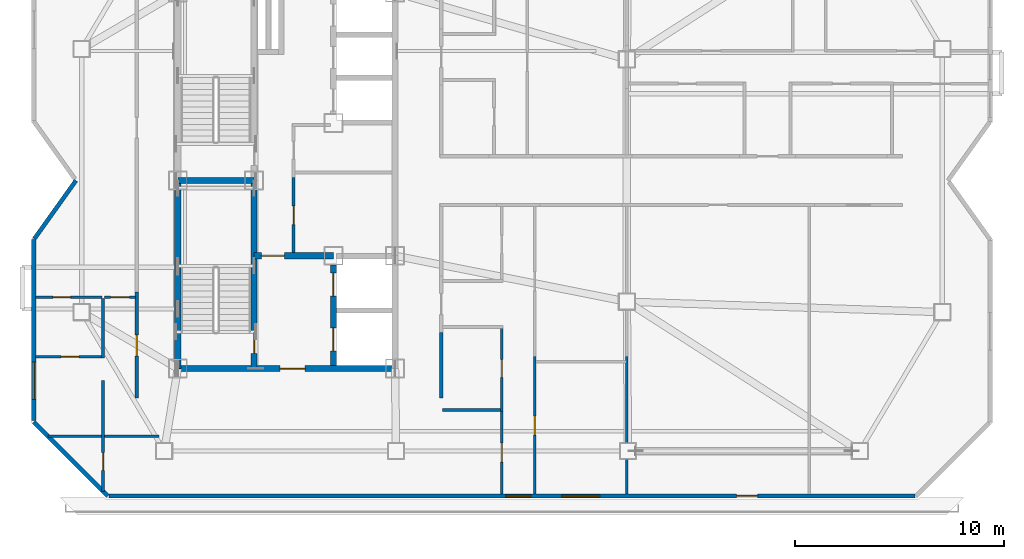
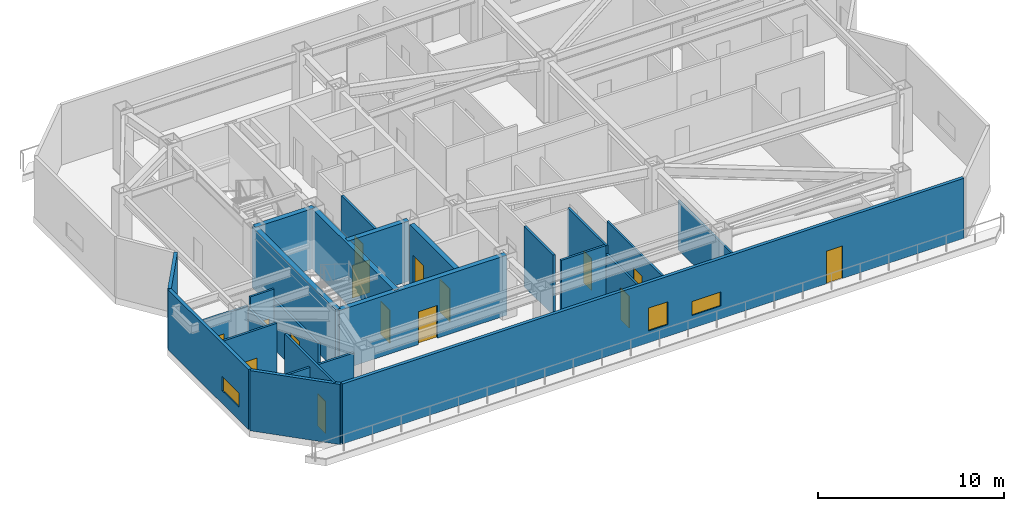
# One storey, part 4 of 11: 24 walls, 15 doors, 3 windows, 18 openings.
"""IFC4 building model written with IfcOpenShell, lengths in metres."""

import ifcopenshell
import ifcopenshell.guid

model = None  # the IFC model being written
_history = None  # IfcOwnerHistory: only IFC2X3 demands one
_inside = {}  # id of a spatial element -> (the spatial element, [elements in it])
_under = {}  # id of a project, library or spatial element -> (it, [spatial elements below it])
_declared = {}  # id of a project -> (the project, [libraries it declares])
_typed = {}  # id of a type object -> (the type object, [elements of that type])
_made_of = {}  # id of a material, layer set ... -> (it, [elements and type objects made of it])


def new_model(schema):
    """Start an empty IFC model of exactly this schema.

    Asked for "IFC4X3", IfcOpenShell would pick the latest addendum, in which some entities
    have other attributes; the version numbers below select the first issue.
    IFC2X3 requires an IfcOwnerHistory on every rooted entity: one is made here for all.
    """
    global model, _history
    if schema == "IFC4X3":
        model = ifcopenshell.file(schema_version=(4, 3, 0, 0))
    else:
        model = ifcopenshell.file(schema=schema)
    _inside.clear()
    _under.clear()
    _declared.clear()
    _typed.clear()
    _made_of.clear()
    _history = None
    if model.schema == "IFC2X3":
        org = make("IfcOrganization", Name="unknown")
        user = make(
            "IfcPersonAndOrganization",
            ThePerson=make("IfcPerson", FamilyName="unknown"),
            TheOrganization=org,
        )
        app = make(
            "IfcApplication",
            ApplicationDeveloper=org,
            Version="unknown",
            ApplicationFullName="unknown",
            ApplicationIdentifier="unknown",
        )
        _history = make(
            "IfcOwnerHistory",
            OwningUser=user,
            OwningApplication=app,
            ChangeAction="ADDED",
            CreationDate=0,
        )
    return model


def make(cls, **values):
    """One entity of the class cls with the attributes given. An attribute that is None is left unset."""
    return model.create_entity(
        cls, **{name: value for name, value in values.items() if value is not None}
    )


def rooted(cls, **values):
    """An entity with a GlobalId (a new one), such as an element, a storey or a relation."""
    return make(cls, GlobalId=ifcopenshell.guid.new(), OwnerHistory=_history, **values)


def si_unit(unit_type, name, prefix=None):
    """IfcSIUnit, for example si_unit("LENGTHUNIT", "METRE", prefix="MILLI")."""
    return make("IfcSIUnit", UnitType=unit_type, Prefix=prefix, Name=name)


def assignment(units):
    """IfcUnitAssignment: the units of a project."""
    return None if units is None else make("IfcUnitAssignment", Units=units)


def point(xyz):
    """IfcCartesianPoint."""
    return None if xyz is None else make("IfcCartesianPoint", Coordinates=xyz)


def direction(xyz):
    """IfcDirection."""
    return None if xyz is None else make("IfcDirection", DirectionRatios=xyz)


def frame(location, z_axis=None, x_axis=None):
    """IfcAxis2Placement3D, a coordinate frame: its origin and axes. An axis left out is left unset."""
    return make(
        "IfcAxis2Placement3D",
        Location=point(location),
        Axis=direction(z_axis),
        RefDirection=direction(x_axis),
    )


def frame_2d(location, x_axis=None):
    """IfcAxis2Placement2D, a coordinate frame in the plane: its origin and x axis."""
    return make(
        "IfcAxis2Placement2D", Location=point(location), RefDirection=direction(x_axis)
    )


def origin():
    """The frame at (0, 0, 0) with its axes left unset."""
    return frame((0.0, 0.0, 0.0))


def place(relative_to, where):
    """IfcLocalPlacement: puts the frame where relative to a parent placement (None: the world)."""
    return make(
        "IfcLocalPlacement", PlacementRelTo=relative_to, RelativePlacement=where
    )


def context(
    kind, dimensions, precision=None, world=None, true_north=None, identifier=None
):
    """IfcGeometricRepresentationContext, for example the 3D "Model" context."""
    return make(
        "IfcGeometricRepresentationContext",
        ContextIdentifier=identifier,
        ContextType=kind,
        CoordinateSpaceDimension=dimensions,
        Precision=precision,
        WorldCoordinateSystem=world,
        TrueNorth=true_north,
    )


def subcontext(parent, identifier, kind, view, scale=None):
    """IfcGeometricRepresentationSubContext, for example "Body" below "Model"."""
    return make(
        "IfcGeometricRepresentationSubContext",
        ContextIdentifier=identifier,
        ContextType=kind,
        ParentContext=parent,
        TargetScale=scale,
        TargetView=view,
    )


def project(units=None, contexts=None):
    """IfcProject with its units and contexts."""
    return rooted(
        "IfcProject",
        Name="project",
        RepresentationContexts=contexts,
        UnitsInContext=assignment(units),
    )


def spatial(cls, under=None, at=None, **own):
    """A site, building, storey or space (cls), placed at a placement, below another one or the project."""
    s = rooted(cls, ObjectPlacement=at, **own)
    if under is not None:
        _under.setdefault(under.id(), (under, []))[1].append(s)
    return s


def profile(cls, at=None, kind="AREA", **sizes):
    """A parametric profile (cls). Its sizes go by their IFC names, for example OverallWidth=200.0."""
    return make(cls, ProfileType=kind, Position=at, **sizes)


def rectangle(**sizes):
    """IfcRectangleProfileDef."""
    return profile("IfcRectangleProfileDef", **sizes)


def extrude(swept, where, along, depth):
    """IfcExtrudedAreaSolid: the profile swept, set in the frame where, extruded along a direction by depth."""
    return make(
        "IfcExtrudedAreaSolid",
        SweptArea=swept,
        Position=where,
        ExtrudedDirection=direction(along),
        Depth=depth,
    )


def shape(context_of_items, identifier, shape_type, items):
    """IfcShapeRepresentation: the items that make up one representation, for example the "Body"."""
    return make(
        "IfcShapeRepresentation",
        ContextOfItems=context_of_items,
        RepresentationIdentifier=identifier,
        RepresentationType=shape_type,
        Items=items,
    )


def material(Name=None, Category=None):
    """IfcMaterial."""
    return make("IfcMaterial", Name=Name, Category=Category)


def layer(
    of_material, thickness, ventilated=None, Name=None, Category=None, Priority=None
):
    """IfcMaterialLayer: one layer of a wall or slab, of a material (None: an air gap)."""
    return make(
        "IfcMaterialLayer",
        Material=of_material,
        LayerThickness=thickness,
        IsVentilated=ventilated,
        Name=Name,
        Category=Category,
        Priority=Priority,
    )


def layer_set(layers, Name=None):
    """IfcMaterialLayerSet."""
    return make("IfcMaterialLayerSet", MaterialLayers=layers, LayerSetName=Name)


def made_of(thing, what):
    """Note that an element or type object is made of a material, layer set ...; save() writes the relation."""
    if what is not None:
        _made_of.setdefault(what.id(), (what, []))[1].append(thing)
    return thing


def type_object(cls, material=None, **own):
    """A type object (cls), such as IfcWallType, which elements share."""
    return made_of(rooted(cls, **own), material)


def element(
    cls,
    number,
    at=None,
    inside=None,
    cuts=None,
    type_object=None,
    material=None,
    context=None,
    identifier="Body",
    shape_type=None,
    held_by="IfcProductDefinitionShape",
    body=None,
    shapes=None,
    **own,
):
    """One element of the class cls, such as IfcWall. Its Tag is "e" and its number.

    at: its placement. inside: the storey or other place that contains it. cuts: it is an
    opening in that element (IfcRelVoidsElement). A single representation is given by context,
    identifier, shape_type and body (its items); several are given by shapes. held_by: the class
    of the entity that holds the representations. save() writes the other relations.
    """
    e = rooted(cls, Tag="e%d" % number, ObjectPlacement=at, **own)
    if body is not None:
        shapes = [shape(context, identifier, shape_type, body)]
    if shapes is not None:
        e.Representation = make(held_by, Representations=shapes)
    if inside is not None:
        _inside.setdefault(inside.id(), (inside, []))[1].append(e)
    if cuts is not None:
        rooted(
            "IfcRelVoidsElement", RelatingBuildingElement=cuts, RelatedOpeningElement=e
        )
    if type_object is not None:
        _typed.setdefault(type_object.id(), (type_object, []))[1].append(e)
    return made_of(e, material)


def fill(opening, filler):
    """IfcRelFillsElement: the door or window that sits in an opening."""
    return rooted(
        "IfcRelFillsElement",
        RelatingOpeningElement=opening,
        RelatedBuildingElement=filler,
    )


def aggregate(whole, parts):
    """IfcRelAggregates: a whole, such as a stair, and the parts it consists of."""
    return rooted("IfcRelAggregates", RelatingObject=whole, RelatedObjects=parts)


def save(model, path):
    """Write the relations noted so far, then the file.

    IfcRelAggregates (storeys below a building ...), IfcRelContainedInSpatialStructure (elements
    in a storey), IfcRelDefinesByType, IfcRelAssociatesMaterial and IfcRelDeclares: one each for
    every whole, place, type object, material and project.
    """
    for whole, parts in _under.values():
        aggregate(whole, parts)
    for where, things in _inside.values():
        rooted(
            "IfcRelContainedInSpatialStructure",
            RelatedElements=things,
            RelatingStructure=where,
        )
    for kind, things in _typed.values():
        rooted("IfcRelDefinesByType", RelatedObjects=things, RelatingType=kind)
    for what, things in _made_of.values():
        rooted("IfcRelAssociatesMaterial", RelatedObjects=things, RelatingMaterial=what)
    for by, libraries in _declared.values():
        rooted("IfcRelDeclares", RelatingContext=by, RelatedDefinitions=libraries)
    model.write(path)


model = new_model("IFC4")

# Units and contexts
model_context = context("Model", 3, precision=1e-05, world=origin(), true_north=direction((0.0, 1.0)))
body_context = subcontext(model_context, "Body", "Model", "MODEL_VIEW")
ifc_project = project(units=[si_unit("LENGTHUNIT", "METRE"), si_unit("AREAUNIT", "SQUARE_METRE"), si_unit("VOLUMEUNIT", "CUBIC_METRE"), si_unit("PLANEANGLEUNIT", "RADIAN"), si_unit("MASSUNIT", "GRAM", prefix="KILO")], contexts=[model_context])

# Site, building, storey
site_placement = place(None, origin())
site = spatial("IfcSite", under=ifc_project, at=site_placement, CompositionType="ELEMENT")
building_placement = place(site_placement, origin())
building = spatial("IfcBuilding", under=site, at=building_placement, Name="Khamvora Tower", CompositionType="ELEMENT")
storey_placement = place(building_placement, frame((0.0, 0.0, 269.449951171875)))
storey = spatial("IfcBuildingStorey", under=building, at=storey_placement, Name="L69", CompositionType="ELEMENT", Elevation=269.449951171875)

# Wall
ifc_material_1 = material(Name="Concrete C50/60", Category="concrete")
ifc_layer_1 = layer(ifc_material_1, 0.300048828125)
ifc_layer_set_1 = layer_set([ifc_layer_1], Name="Concrete C50/60")
wall_type_1 = type_object("IfcWallType", Name="WAL-CORE-300", PredefinedType="SHEAR", material=ifc_layer_set_1)
wall_1_placement = place(storey_placement, frame((29.0, 19.0, 0.0), z_axis=(0.0, 0.0, 1.0), x_axis=(0.0, 1.0, 0.0)))
element("IfcWall", 1, at=wall_1_placement, inside=storey, type_object=wall_type_1, Name="L69 central core west south wall", PredefinedType="SHEAR", context=body_context, shape_type="SweptSolid", body=[
    extrude(rectangle(XDim=9.0, YDim=0.300048828125, at=frame_2d((4.5, 0.0))), origin(), (0.0, 0.0, 1.0), 3.949951171875),
])

# Wall, opening, door
wall_2_placement = place(storey_placement, frame((29.0, 19.0, 0.0), z_axis=(0.0, 0.0, 1.0), x_axis=(1.0, 0.0, 0.0)))
wall_2 = element("IfcWall", 2, at=wall_2_placement, inside=storey, type_object=wall_type_1, Name="L69 central core south wall", PredefinedType="SHEAR", context=body_context, shape_type="SweptSolid", body=[
    extrude(rectangle(XDim=10.39990234375, YDim=0.300048828125, at=frame_2d((5.199951171875, 0.0))), origin(), (0.0, 0.0, 1.0), 3.949951171875),
])
opening_1_placement = place(wall_2_placement, frame((4.89990234375, 0.0, 0.0)))
opening_1 = element("IfcOpeningElement", 3, at=opening_1_placement, cuts=wall_2, Name="Opening D-CR1", PredefinedType="OPENING", context=body_context, shape_type="SweptSolid", body=[
    extrude(rectangle(XDim=1.199951171875, YDim=2.14990234375, at=frame_2d((0.60009765625, 1.074951171875))), frame((0.0, 0.159912109375, 0.0), z_axis=(0.0, -1.0, 0.0), x_axis=(1.0, 0.0, 0.0)), (0.0, 0.0, 1.0), 0.320068359375),
])
ifc_material_2 = material(Name="Powder-Coated Steel and Hardwood Leaf", Category="steel")
door_type_1 = type_object("IfcDoorType", Name="DOR-CORR-1200", OperationType="NOTDEFINED", PredefinedType="DOOR", material=ifc_material_2)
door_1_placement = place(opening_1_placement, origin())
door_1 = element("IfcDoor", 4, at=door_1_placement, inside=storey, type_object=door_type_1, Name="L69 south core lobby to corridor fire door", OperationType="SINGLE_SWING_RIGHT", OverallHeight=2.14990234375, OverallWidth=1.199951171875, PredefinedType="DOOR", context=body_context, shape_type="SweptSolid", body=[
    extrude(rectangle(XDim=1.199951171875, YDim=2.14990234375, at=frame_2d((0.60009765625, 1.074951171875))), frame((0.0, 0.02490234375, 0.0), z_axis=(0.0, -1.0, 0.0), x_axis=(1.0, 0.0, 0.0)), (0.0, 0.0, 1.0), 0.050048828125),
])
fill(opening_1, door_1)

wall_3_placement = place(storey_placement, frame((32.64990234375, 19.0, 0.0), z_axis=(0.0, 0.0, 1.0), x_axis=(0.0, 1.0, 0.0)))
wall_3 = element("IfcWall", 5, at=wall_3_placement, inside=storey, type_object=wall_type_1, Name="L69 central core stair south spine wall", PredefinedType="SHEAR", context=body_context, shape_type="SweptSolid", body=[
    extrude(rectangle(XDim=9.0, YDim=0.300048828125, at=frame_2d((4.5, 0.0))), origin(), (0.0, 0.0, 1.0), 3.949951171875),
])
opening_2_placement = place(wall_3_placement, frame((0.719970703125, 0.0, 0.0)))
opening_2 = element("IfcOpeningElement", 6, at=opening_2_placement, cuts=wall_3, Name="Opening D-ST1", PredefinedType="OPENING", context=body_context, shape_type="SweptSolid", body=[
    extrude(rectangle(XDim=1.0, YDim=2.14990234375, at=frame_2d((0.5, 1.074951171875))), frame((0.0, 0.159912109375, 0.0), z_axis=(0.0, -1.0, 0.0), x_axis=(1.0, 0.0, 0.0)), (0.0, 0.0, 1.0), 0.320068359375),
])
door_type_2 = type_object("IfcDoorType", Name="DOR-STAIR-1000", OperationType="NOTDEFINED", PredefinedType="DOOR", material=ifc_material_2)
door_2_placement = place(opening_2_placement, origin())
door_2 = element("IfcDoor", 7, at=door_2_placement, inside=storey, type_object=door_type_2, Name="L69 exit stair ST-01 fire door", OperationType="SINGLE_SWING_RIGHT", OverallHeight=2.14990234375, OverallWidth=1.0, PredefinedType="DOOR", context=body_context, shape_type="SweptSolid", body=[
    extrude(rectangle(XDim=1.0, YDim=2.14990234375, at=frame_2d((0.5, 1.074951171875))), frame((0.0, 0.02490234375, 0.0), z_axis=(0.0, -1.0, 0.0), x_axis=(1.0, 0.0, 0.0)), (0.0, 0.0, 1.0), 0.050048828125),
])
fill(opening_2, door_2)

# Wall
wall_4_placement = place(storey_placement, frame((29.0, 28.0, 0.0), z_axis=(0.0, 0.0, 1.0), x_axis=(1.0, 0.0, 0.0)))
element("IfcWall", 8, at=wall_4_placement, inside=storey, type_object=wall_type_1, Name="L69 central core stair cross wall", PredefinedType="SHEAR", context=body_context, shape_type="SweptSolid", body=[
    extrude(rectangle(XDim=3.64990234375, YDim=0.300048828125, at=frame_2d((1.824951171875, 0.0))), origin(), (0.0, 0.0, 1.0), 3.949951171875),
])

# Wall, opening, door
wall_5_placement = place(storey_placement, frame((32.64990234375, 24.39990234375, 0.0), z_axis=(0.0, 0.0, 1.0), x_axis=(1.0, 0.0, 0.0)))
wall_5 = element("IfcWall", 9, at=wall_5_placement, inside=storey, type_object=wall_type_1, Name="L69 central core firefighting lobby north wall", PredefinedType="SHEAR", context=body_context, shape_type="SweptSolid", body=[
    extrude(rectangle(XDim=3.800048828125, YDim=0.300048828125, at=frame_2d((1.89990234375, 0.0))), origin(), (0.0, 0.0, 1.0), 3.949951171875),
])
opening_3_placement = place(wall_5_placement, frame((0.35009765625, 0.0, 0.0)))
opening_3 = element("IfcOpeningElement", 10, at=opening_3_placement, cuts=wall_5, Name="Opening D-FF1", PredefinedType="OPENING", context=body_context, shape_type="SweptSolid", body=[
    extrude(rectangle(XDim=1.10009765625, YDim=2.14990234375, at=frame_2d((0.550048828125, 1.074951171875))), frame((0.0, 0.159912109375, 0.0), z_axis=(0.0, -1.0, 0.0), x_axis=(1.0, 0.0, 0.0)), (0.0, 0.0, 1.0), 0.320068359375),
])
door_type_3 = type_object("IfcDoorType", Name="DOR-FFLOB-1100", OperationType="NOTDEFINED", PredefinedType="DOOR", material=ifc_material_2)
door_3_placement = place(opening_3_placement, origin())
door_3 = element("IfcDoor", 11, at=door_3_placement, inside=storey, type_object=door_type_3, Name="L69 firefighting lobby smoke-seal fire door", OperationType="SINGLE_SWING_LEFT", OverallHeight=2.14990234375, OverallWidth=1.10009765625, PredefinedType="DOOR", context=body_context, shape_type="SweptSolid", body=[
    extrude(rectangle(XDim=1.10009765625, YDim=2.14990234375, at=frame_2d((0.550048828125, 1.074951171875))), frame((0.0, 0.02490234375, 0.0), z_axis=(0.0, -1.0, 0.0), x_axis=(1.0, 0.0, 0.0)), (0.0, 0.0, 1.0), 0.050048828125),
])
fill(opening_3, door_3)

# Wall, openings, doors
wall_6_placement = place(storey_placement, frame((36.449951171875, 19.154052734375, 0.0), z_axis=(0.0, 0.0, 1.0), x_axis=(0.0, 1.0, 0.0)))
wall_6 = element("IfcWall", 12, at=wall_6_placement, inside=storey, type_object=wall_type_1, Name="L69 central core lift bank south wall", PredefinedType="SHEAR", context=body_context, shape_type="SweptSolid", body=[
    extrude(rectangle(XDim=4.7958984375, YDim=0.300048828125, at=frame_2d((2.39794921875, 0.0))), origin(), (0.0, 0.0, 1.0), 3.949951171875),
])
opening_4_placement = place(wall_6_placement, frame((0.696044921875, 0.0, 0.0)))
opening_4 = element("IfcOpeningElement", 13, at=opening_4_placement, cuts=wall_6, Name="Opening LD-FFL", PredefinedType="OPENING", context=body_context, shape_type="SweptSolid", body=[
    extrude(rectangle(XDim=1.10009765625, YDim=2.14990234375, at=frame_2d((0.550048828125, 1.074951171875))), frame((0.0, 0.159912109375, 0.0), z_axis=(0.0, -1.0, 0.0), x_axis=(1.0, 0.0, 0.0)), (0.0, 0.0, 1.0), 0.320068359375),
])
opening_5_placement = place(wall_6_placement, frame((3.31591796875, 0.0, 0.0)))
opening_5 = element("IfcOpeningElement", 14, at=opening_5_placement, cuts=wall_6, Name="Opening LD-FFL", PredefinedType="OPENING", context=body_context, shape_type="SweptSolid", body=[
    extrude(rectangle(XDim=1.10009765625, YDim=2.14990234375, at=frame_2d((0.550048828125, 1.074951171875))), frame((0.0, 0.159912109375, 0.0), z_axis=(0.0, -1.0, 0.0), x_axis=(1.0, 0.0, 0.0)), (0.0, 0.0, 1.0), 0.320068359375),
])
door_type_4 = type_object("IfcDoorType", Name="DOR-LIFT-1100", OperationType="SLIDING_TO_LEFT", PredefinedType="DOOR", material=ifc_material_2)
door_4_placement = place(opening_4_placement, origin())
door_4 = element("IfcDoor", 15, at=door_4_placement, inside=storey, type_object=door_type_4, Name="L69 lift landing sliding door FFL-01", OperationType="SLIDING_TO_LEFT", OverallHeight=2.14990234375, OverallWidth=1.10009765625, PredefinedType="DOOR", context=body_context, shape_type="SweptSolid", body=[
    extrude(rectangle(XDim=1.10009765625, YDim=2.14990234375, at=frame_2d((0.550048828125, 1.074951171875))), frame((0.0, 0.02490234375, 0.0), z_axis=(0.0, -1.0, 0.0), x_axis=(1.0, 0.0, 0.0)), (0.0, 0.0, 1.0), 0.050048828125),
])
fill(opening_4, door_4)
door_5_placement = place(opening_5_placement, origin())
door_5 = element("IfcDoor", 16, at=door_5_placement, inside=storey, type_object=door_type_4, Name="L69 lift landing sliding door FFL-02", OperationType="SLIDING_TO_LEFT", OverallHeight=2.14990234375, OverallWidth=1.10009765625, PredefinedType="DOOR", context=body_context, shape_type="SweptSolid", body=[
    extrude(rectangle(XDim=1.10009765625, YDim=2.14990234375, at=frame_2d((0.550048828125, 1.074951171875))), frame((0.0, 0.02490234375, 0.0), z_axis=(0.0, -1.0, 0.0), x_axis=(1.0, 0.0, 0.0)), (0.0, 0.0, 1.0), 0.050048828125),
])
fill(opening_5, door_5)

# Wall, opening, door
ifc_material_3 = material(Name="Fire-Rated Drywall and Steel Stud", Category="steel")
ifc_layer_2 = layer(ifc_material_3, 0.14990234375)
ifc_layer_set_2 = layer_set([ifc_layer_2], Name="Fire-Rated Drywall and Steel Stud")
wall_type_2 = type_object("IfcWallType", Name="WAL-CORR-150", PredefinedType="STANDARD", material=ifc_layer_set_2)
wall_7_placement = place(storey_placement, frame((34.544921875, 28.135986328125, 0.0), z_axis=(0.0, 0.0, 1.0), x_axis=(0.0, -1.0, 0.0)))
wall_7 = element("IfcWall", 17, at=wall_7_placement, inside=storey, type_object=wall_type_2, Name="L69 interior partition wall 003", PredefinedType="STANDARD", context=body_context, shape_type="SweptSolid", body=[
    extrude(rectangle(XDim=3.592041015625, YDim=0.14990234375, at=frame_2d((1.7958984375, 0.0))), origin(), (0.0, 0.0, 1.0), 3.949951171875),
])
opening_6_placement = place(wall_7_placement, frame((1.345947265625, 0.0, 0.0)))
opening_6 = element("IfcOpeningElement", 18, at=opening_6_placement, cuts=wall_7, Name="Opening D-RM1", PredefinedType="OPENING", context=body_context, shape_type="SweptSolid", body=[
    extrude(rectangle(XDim=0.89990234375, YDim=2.10009765625, at=frame_2d((0.449951171875, 1.050048828125))), frame((0.0, 0.0849609375, 0.0), z_axis=(0.0, -1.0, 0.0), x_axis=(1.0, 0.0, 0.0)), (0.0, 0.0, 1.0), 0.169921875),
])
door_type_5 = type_object("IfcDoorType", Name="DOR-ROOM-900", OperationType="NOTDEFINED", PredefinedType="DOOR", material=ifc_material_2)
door_6_placement = place(opening_6_placement, origin())
door_6 = element("IfcDoor", 19, at=door_6_placement, inside=storey, type_object=door_type_5, Name="L69 interior door PHL-CS2", OperationType="SINGLE_SWING_LEFT", OverallHeight=2.10009765625, OverallWidth=0.89990234375, PredefinedType="DOOR", context=body_context, shape_type="SweptSolid", body=[
    extrude(rectangle(XDim=0.89990234375, YDim=2.10009765625, at=frame_2d((0.449951171875, 1.050048828125))), frame((0.0, 0.02490234375, 0.0), z_axis=(0.0, -1.0, 0.0), x_axis=(1.0, 0.0, 0.0)), (0.0, 0.0, 1.0), 0.050048828125),
])
fill(opening_6, door_6)

wall_8_placement = place(storey_placement, frame((27.034912109375, 17.60009765625, 0.0), z_axis=(0.0, 0.0, 1.0), x_axis=(0.0, 1.0, 0.0)))
wall_8 = element("IfcWall", 20, at=wall_8_placement, inside=storey, type_object=wall_type_2, Name="L69 interior partition wall 007", PredefinedType="STANDARD", context=body_context, shape_type="SweptSolid", body=[
    extrude(rectangle(XDim=5.058837890625, YDim=0.14990234375, at=frame_2d((2.529296875, 0.0))), origin(), (0.0, 0.0, 1.0), 3.237060546875),
])
opening_7_placement = place(wall_8_placement, frame((2.009033203125, 0.0, 0.0)))
opening_7 = element("IfcOpeningElement", 21, at=opening_7_placement, cuts=wall_8, Name="Opening D-U1", PredefinedType="OPENING", context=body_context, shape_type="SweptSolid", body=[
    extrude(rectangle(XDim=1.0, YDim=2.14990234375, at=frame_2d((0.5, 1.074951171875))), frame((0.0, 0.0849609375, 0.0), z_axis=(0.0, -1.0, 0.0), x_axis=(1.0, 0.0, 0.0)), (0.0, 0.0, 1.0), 0.169921875),
])
door_type_6 = type_object("IfcDoorType", Name="DOR-UNIT-1000", OperationType="NOTDEFINED", PredefinedType="DOOR", material=ifc_material_2)
door_7_placement = place(opening_7_placement, origin())
door_7 = element("IfcDoor", 22, at=door_7_placement, inside=storey, type_object=door_type_6, Name="L69 interior door COR-69AH", OperationType="SINGLE_SWING_RIGHT", OverallHeight=2.14990234375, OverallWidth=1.0, PredefinedType="DOOR", context=body_context, shape_type="SweptSolid", body=[
    extrude(rectangle(XDim=1.0, YDim=2.14990234375, at=frame_2d((0.5, 1.074951171875))), frame((0.0, 0.02490234375, 0.0), z_axis=(0.0, -1.0, 0.0), x_axis=(1.0, 0.0, 0.0)), (0.0, 0.0, 1.0), 0.050048828125),
])
fill(opening_7, door_7)

# Walls
wall_9_placement = place(storey_placement, frame((41.614990234375, 20.735107421875, 0.0), z_axis=(0.0, 0.0, 1.0), x_axis=(0.0, -1.0, 0.0)))
element("IfcWall", 23, at=wall_9_placement, inside=storey, type_object=wall_type_2, Name="L69 interior partition wall 013", PredefinedType="STANDARD", context=body_context, shape_type="SweptSolid", body=[
    extrude(rectangle(XDim=3.135009765625, YDim=0.14990234375, at=frame_2d((1.5673828125, 0.0))), origin(), (0.0, 0.0, 1.0), 3.949951171875),
])
ifc_material_4 = material(Name="Precast concrete C40/50", Category="concrete")
ifc_layer_3 = layer(ifc_material_4, 0.199951171875)
ifc_layer_set_3 = layer_set([ifc_layer_3], Name="Precast concrete C40/50")
wall_type_3 = type_object("IfcWallType", Name="WAL-EXT-200", PredefinedType="STANDARD", material=ifc_layer_set_3)
wall_10_placement = place(storey_placement, frame((25.64111328125, 12.89990234375, 0.0), z_axis=(0.0, 0.0, 1.0), x_axis=(-0.707106781187, 0.707106781187, 0.0)))
element("IfcWall", 24, at=wall_10_placement, inside=storey, type_object=wall_type_3, Name="L69 exterior facade wall 01.1", PredefinedType="STANDARD", context=body_context, shape_type="SweptSolid", body=[
    extrude(rectangle(XDim=5.0078125, YDim=0.199951171875, at=frame_2d((2.50390625, 0.0))), origin(), (0.0, 0.0, 1.0), 3.949951171875),
])

# Wall, opening, window
wall_11_placement = place(storey_placement, frame((22.10009765625, 16.50390625, 0.0), z_axis=(0.0, 0.0, 1.0), x_axis=(0.0, 1.0, 0.0)))
wall_11 = element("IfcWall", 25, at=wall_11_placement, inside=storey, type_object=wall_type_3, Name="L69 exterior facade wall 02.1", PredefinedType="STANDARD", context=body_context, shape_type="SweptSolid", body=[
    extrude(rectangle(XDim=8.6640625, YDim=0.199951171875, at=frame_2d((4.33203125, 0.0))), origin(), (0.0, 0.0, 1.0), 3.949951171875),
])
opening_8_placement = place(wall_11_placement, frame((1.02001953125, 0.0, 0.85009765625)))
opening_8 = element("IfcOpeningElement", 26, at=opening_8_placement, cuts=wall_11, Name="Opening WN-09", PredefinedType="OPENING", context=body_context, shape_type="SweptSolid", body=[
    extrude(rectangle(XDim=1.800048828125, YDim=0.919921875, at=frame_2d((0.89990234375, 0.4599609375))), frame((0.0, 0.10986328125, 0.0), z_axis=(0.0, -1.0, 0.0), x_axis=(1.0, 0.0, 0.0)), (0.0, 0.0, 1.0), 0.219970703125),
])
ifc_material_5 = material(Name="Low-E Laminated Double Glazing", Category="glass")
window_type_1 = type_object("IfcWindowType", Name="WIN-CLR-1800x920", PartitioningType="SINGLE_PANEL", PredefinedType="WINDOW", material=ifc_material_5)
window_1_placement = place(opening_8_placement, origin())
window_1 = element("IfcWindow", 27, at=window_1_placement, inside=storey, type_object=window_type_1, Name="L69 vision window 02.1.01", OverallHeight=0.919921875, OverallWidth=1.800048828125, PartitioningType="SINGLE_PANEL", PredefinedType="WINDOW", context=body_context, shape_type="SweptSolid", body=[
    extrude(rectangle(XDim=1.800048828125, YDim=0.919921875, at=frame_2d((0.89990234375, 0.4599609375))), frame((0.0, 0.030029296875, 0.0), z_axis=(0.0, -1.0, 0.0), x_axis=(1.0, 0.0, 0.0)), (0.0, 0.0, 1.0), 0.06005859375),
])
fill(opening_8, window_1)

# Wall
wall_12_placement = place(storey_placement, frame((22.1279296875, 25.2080078125, 0.0), z_axis=(0.0, 0.0, 1.0), x_axis=(0.581399701415, 0.813618084358, 0.0)))
element("IfcWall", 28, at=wall_12_placement, inside=storey, type_object=wall_type_3, Name="L69 exterior facade wall 03.1", PredefinedType="STANDARD", context=body_context, shape_type="SweptSolid", body=[
    extrude(rectangle(XDim=3.431640625, YDim=0.199951171875, at=frame_2d((1.7158203125, 0.0))), origin(), (0.0, 0.0, 1.0), 3.949951171875),
])

# Wall, openings, door, windows
wall_13_placement = place(storey_placement, frame((64.2958984375, 12.89990234375, 0.0), z_axis=(0.0, 0.0, 1.0), x_axis=(-1.0, 0.0, 0.0)))
wall_13 = element("IfcWall", 29, at=wall_13_placement, inside=storey, type_object=wall_type_3, Name="L69 exterior facade wall 14.1", PredefinedType="STANDARD", context=body_context, shape_type="SweptSolid", body=[
    extrude(rectangle(XDim=38.593017578125, YDim=0.199951171875, at=frame_2d((19.29638671875, 0.0))), origin(), (0.0, 0.0, 1.0), 3.949951171875),
])
opening_9_placement = place(wall_13_placement, frame((7.5400390625, 0.0, 0.0)))
opening_9 = element("IfcOpeningElement", 30, at=opening_9_placement, cuts=wall_13, Name="Opening BD-02", PredefinedType="OPENING", context=body_context, shape_type="SweptSolid", body=[
    extrude(rectangle(XDim=1.0, YDim=2.14990234375, at=frame_2d((0.5, 1.074951171875))), frame((0.0, 0.10986328125, 0.0), z_axis=(0.0, -1.0, 0.0), x_axis=(1.0, 0.0, 0.0)), (0.0, 0.0, 1.0), 0.219970703125),
])
opening_10_placement = place(wall_13_placement, frame((18.39599609375, 0.0, 0.780029296875)))
opening_10 = element("IfcOpeningElement", 31, at=opening_10_placement, cuts=wall_13, Name="Opening WN-03", PredefinedType="OPENING", context=body_context, shape_type="SweptSolid", body=[
    extrude(rectangle(XDim=1.199951171875, YDim=1.5, at=frame_2d((0.60009765625, 0.75))), frame((0.0, 0.10986328125, 0.0), z_axis=(0.0, -1.0, 0.0), x_axis=(1.0, 0.0, 0.0)), (0.0, 0.0, 1.0), 0.219970703125),
])
opening_11_placement = place(wall_13_placement, frame((15.10400390625, 0.0, 0.85009765625)))
opening_11 = element("IfcOpeningElement", 32, at=opening_11_placement, cuts=wall_13, Name="Opening WN-09", PredefinedType="OPENING", context=body_context, shape_type="SweptSolid", body=[
    extrude(rectangle(XDim=1.800048828125, YDim=0.919921875, at=frame_2d((0.89990234375, 0.4599609375))), frame((0.0, 0.10986328125, 0.0), z_axis=(0.0, -1.0, 0.0), x_axis=(1.0, 0.0, 0.0)), (0.0, 0.0, 1.0), 0.219970703125),
])
ifc_material_6 = material(Name="Anodised Aluminium and Laminated Safety Glass", Category="aluminium")
door_type_7 = type_object("IfcDoorType", Name="DOR-BAL-1000", OperationType="NOTDEFINED", PredefinedType="DOOR", material=ifc_material_6)
door_8_placement = place(opening_9_placement, origin())
door_8 = element("IfcDoor", 33, at=door_8_placement, inside=storey, type_object=door_type_7, Name="L69 stepped roof terrace access door S", OperationType="SLIDING_TO_LEFT", OverallHeight=2.14990234375, OverallWidth=1.0, PredefinedType="DOOR", context=body_context, shape_type="SweptSolid", body=[
    extrude(rectangle(XDim=1.0, YDim=2.14990234375, at=frame_2d((0.5, 1.074951171875))), frame((0.0, 0.02490234375, 0.0), z_axis=(0.0, -1.0, 0.0), x_axis=(1.0, 0.0, 0.0)), (0.0, 0.0, 1.0), 0.050048828125),
])
fill(opening_9, door_8)
window_2_placement = place(opening_11_placement, origin())
window_2 = element("IfcWindow", 34, at=window_2_placement, inside=storey, type_object=window_type_1, Name="L69 vision window 14.1.02", OverallHeight=0.919921875, OverallWidth=1.800048828125, PartitioningType="SINGLE_PANEL", PredefinedType="WINDOW", context=body_context, shape_type="SweptSolid", body=[
    extrude(rectangle(XDim=1.800048828125, YDim=0.919921875, at=frame_2d((0.89990234375, 0.4599609375))), frame((0.0, 0.030029296875, 0.0), z_axis=(0.0, -1.0, 0.0), x_axis=(1.0, 0.0, 0.0)), (0.0, 0.0, 1.0), 0.06005859375),
])
fill(opening_11, window_2)
window_type_2 = type_object("IfcWindowType", Name="WIN-VIS-1200x1500", PartitioningType="SINGLE_PANEL", PredefinedType="WINDOW", material=ifc_material_5)
window_3_placement = place(opening_10_placement, origin())
window_3 = element("IfcWindow", 35, at=window_3_placement, inside=storey, type_object=window_type_2, Name="L69 vision window 14.1.01", OverallHeight=1.5, OverallWidth=1.199951171875, PartitioningType="SINGLE_PANEL", PredefinedType="WINDOW", context=body_context, shape_type="SweptSolid", body=[
    extrude(rectangle(XDim=1.199951171875, YDim=1.5, at=frame_2d((0.60009765625, 0.75))), frame((0.0, 0.030029296875, 0.0), z_axis=(0.0, -1.0, 0.0), x_axis=(1.0, 0.0, 0.0)), (0.0, 0.0, 1.0), 0.06005859375),
])
fill(opening_10, window_3)

# Wall
ifc_material_7 = material(Name="Gypsum Plasterboard Partition", Category="gypsum")
ifc_layer_4 = layer(ifc_material_7, 0.1201171875)
ifc_layer_set_4 = layer_set([ifc_layer_4], Name="Gypsum Plasterboard Partition")
wall_type_4 = type_object("IfcWallType", Name="WAL-PART-120", PredefinedType="PARTITIONING", material=ifc_layer_set_4)
wall_14_placement = place(storey_placement, frame((50.5048828125, 12.991943359375, 0.0), z_axis=(0.0, 0.0, 1.0), x_axis=(0.0, 1.0, 0.0)))
element("IfcWall", 36, at=wall_14_placement, inside=storey, type_object=wall_type_4, Name="L69 interior partition wall 026", PredefinedType="PARTITIONING", context=body_context, shape_type="SweptSolid", body=[
    extrude(rectangle(XDim=6.5859375, YDim=0.1201171875, at=frame_2d((3.29296875, 0.0))), origin(), (0.0, 0.0, 1.0), 3.2451171875),
])

# Wall, opening, door
wall_15_placement = place(storey_placement, frame((25.489990234375, 22.409912109375, 0.0), z_axis=(0.0, 0.0, 1.0), x_axis=(1.0, 0.0, 0.0)))
wall_15 = element("IfcWall", 37, at=wall_15_placement, inside=storey, type_object=wall_type_4, Name="L69 interior partition wall 032", PredefinedType="PARTITIONING", context=body_context, shape_type="SweptSolid", body=[
    extrude(rectangle(XDim=1.47998046875, YDim=0.1201171875, at=frame_2d((0.739990234375, 0.0))), origin(), (0.0, 0.0, 1.0), 3.949951171875),
])
opening_12_placement = place(wall_15_placement, frame((0.2900390625, 0.0, 0.0)))
opening_12 = element("IfcOpeningElement", 38, at=opening_12_placement, cuts=wall_15, Name="Opening D-RM1", PredefinedType="OPENING", context=body_context, shape_type="SweptSolid", body=[
    extrude(rectangle(XDim=0.89990234375, YDim=2.10009765625, at=frame_2d((0.449951171875, 1.050048828125))), frame((0.0, 0.070068359375, 0.0), z_axis=(0.0, -1.0, 0.0), x_axis=(1.0, 0.0, 0.0)), (0.0, 0.0, 1.0), 0.14013671875),
])
door_9_placement = place(opening_12_placement, origin())
door_9 = element("IfcDoor", 39, at=door_9_placement, inside=storey, type_object=door_type_5, Name="L69 interior door 69AH-69AR1", OperationType="SINGLE_SWING_RIGHT", OverallHeight=2.10009765625, OverallWidth=0.89990234375, PredefinedType="DOOR", context=body_context, shape_type="SweptSolid", body=[
    extrude(rectangle(XDim=0.89990234375, YDim=2.10009765625, at=frame_2d((0.449951171875, 1.050048828125))), frame((0.0, 0.02490234375, 0.0), z_axis=(0.0, -1.0, 0.0), x_axis=(1.0, 0.0, 0.0)), (0.0, 0.0, 1.0), 0.050048828125),
])
fill(opening_12, door_9)

wall_16_placement = place(storey_placement, frame((44.510009765625, 16.9541015625, 0.0), z_axis=(0.0, 0.0, 1.0), x_axis=(0.0, -1.0, 0.0)))
wall_16 = element("IfcWall", 40, at=wall_16_placement, inside=storey, type_object=wall_type_4, Name="L69 interior partition wall 034", PredefinedType="PARTITIONING", context=body_context, shape_type="SweptSolid", body=[
    extrude(rectangle(XDim=3.962158203125, YDim=0.1201171875, at=frame_2d((1.98095703125, 0.0))), origin(), (0.0, 0.0, 1.0), 3.406982421875),
])
opening_13_placement = place(wall_16_placement, frame((1.531005859375, 0.0, 0.0)))
opening_13 = element("IfcOpeningElement", 41, at=opening_13_placement, cuts=wall_16, Name="Opening D-RM1", PredefinedType="OPENING", context=body_context, shape_type="SweptSolid", body=[
    extrude(rectangle(XDim=0.89990234375, YDim=2.10009765625, at=frame_2d((0.449951171875, 1.050048828125))), frame((0.0, 0.070068359375, 0.0), z_axis=(0.0, -1.0, 0.0), x_axis=(1.0, 0.0, 0.0)), (0.0, 0.0, 1.0), 0.14013671875),
])
door_10_placement = place(opening_13_placement, origin())
door_10 = element("IfcDoor", 42, at=door_10_placement, inside=storey, type_object=door_type_5, Name="L69 interior door 69BW1-69BH", OperationType="SINGLE_SWING_LEFT", OverallHeight=2.10009765625, OverallWidth=0.89990234375, PredefinedType="DOOR", context=body_context, shape_type="SweptSolid", body=[
    extrude(rectangle(XDim=0.89990234375, YDim=2.10009765625, at=frame_2d((0.449951171875, 1.050048828125))), frame((0.0, 0.02490234375, 0.0), z_axis=(0.0, -1.0, 0.0), x_axis=(1.0, 0.0, 0.0)), (0.0, 0.0, 1.0), 0.050048828125),
])
fill(opening_13, door_10)

wall_17_placement = place(storey_placement, frame((46.090087890625, 19.5830078125, 0.0), z_axis=(0.0, 0.0, 1.0), x_axis=(0.0, -1.0, 0.0)))
wall_17 = element("IfcWall", 43, at=wall_17_placement, inside=storey, type_object=wall_type_4, Name="L69 interior partition wall 040", PredefinedType="PARTITIONING", context=body_context, shape_type="SweptSolid", body=[
    extrude(rectangle(XDim=6.591064453125, YDim=0.1201171875, at=frame_2d((3.29541015625, 0.0))), origin(), (0.0, 0.0, 1.0), 3.406982421875),
])
opening_14_placement = place(wall_17_placement, frame((2.865966796875, 0.0, 0.0)))
opening_14 = element("IfcOpeningElement", 44, at=opening_14_placement, cuts=wall_17, Name="Opening D-RM1", PredefinedType="OPENING", context=body_context, shape_type="SweptSolid", body=[
    extrude(rectangle(XDim=0.89990234375, YDim=2.10009765625, at=frame_2d((0.449951171875, 1.050048828125))), frame((0.0, 0.070068359375, 0.0), z_axis=(0.0, -1.0, 0.0), x_axis=(1.0, 0.0, 0.0)), (0.0, 0.0, 1.0), 0.14013671875),
])
door_11_placement = place(opening_14_placement, origin())
door_11 = element("IfcDoor", 45, at=door_11_placement, inside=storey, type_object=door_type_5, Name="L69 interior door 69BH-69BL", OperationType="SINGLE_SWING_RIGHT", OverallHeight=2.10009765625, OverallWidth=0.89990234375, PredefinedType="DOOR", context=body_context, shape_type="SweptSolid", body=[
    extrude(rectangle(XDim=0.89990234375, YDim=2.10009765625, at=frame_2d((0.449951171875, 1.050048828125))), frame((0.0, 0.02490234375, 0.0), z_axis=(0.0, -1.0, 0.0), x_axis=(1.0, 0.0, 0.0)), (0.0, 0.0, 1.0), 0.050048828125),
])
fill(opening_14, door_11)

ifc_material_8 = material(Name="Moisture-Resistant Plasterboard Partition", Category="gypsum")
ifc_layer_5 = layer(ifc_material_8, 0.135009765625)
ifc_layer_set_5 = layer_set([ifc_layer_5], Name="Moisture-Resistant Plasterboard Partition")
wall_type_5 = type_object("IfcWallType", Name="WAL-WET-135", PredefinedType="PARTITIONING", material=ifc_layer_set_5)
wall_18_placement = place(storey_placement, frame((25.425048828125, 13.123046875, 0.0), z_axis=(0.0, 0.0, 1.0), x_axis=(0.0, 1.0, 0.0)))
wall_18 = element("IfcWall", 46, at=wall_18_placement, inside=storey, type_object=wall_type_5, Name="L69 interior partition wall 028", PredefinedType="PARTITIONING", context=body_context, shape_type="SweptSolid", body=[
    extrude(rectangle(XDim=5.302001953125, YDim=0.135009765625, at=frame_2d((2.65087890625, 0.0))), origin(), (0.0, 0.0, 1.0), 3.949951171875),
])
opening_15_placement = place(wall_18_placement, frame((0.9970703125, 0.0, 0.0)))
opening_15 = element("IfcOpeningElement", 47, at=opening_15_placement, cuts=wall_18, Name="Opening D-WC1", PredefinedType="OPENING", context=body_context, shape_type="SweptSolid", body=[
    extrude(rectangle(XDim=0.85009765625, YDim=2.10009765625, at=frame_2d((0.425048828125, 1.050048828125))), frame((0.0, 0.077392578125, 0.0), z_axis=(0.0, -1.0, 0.0), x_axis=(1.0, 0.0, 0.0)), (0.0, 0.0, 1.0), 0.155029296875),
])
door_type_8 = type_object("IfcDoorType", Name="DOR-WET-850", OperationType="NOTDEFINED", PredefinedType="DOOR", material=ifc_material_2)
door_12_placement = place(opening_15_placement, origin())
door_12 = element("IfcDoor", 48, at=door_12_placement, inside=storey, type_object=door_type_8, Name="L69 interior door 69AH-69AB", OperationType="SINGLE_SWING_LEFT", OverallHeight=2.10009765625, OverallWidth=0.85009765625, PredefinedType="DOOR", context=body_context, shape_type="SweptSolid", body=[
    extrude(rectangle(XDim=0.85009765625, YDim=2.10009765625, at=frame_2d((0.425048828125, 1.050048828125))), frame((0.0, 0.02490234375, 0.0), z_axis=(0.0, -1.0, 0.0), x_axis=(1.0, 0.0, 0.0)), (0.0, 0.0, 1.0), 0.050048828125),
])
fill(opening_15, door_12)

# Wall
wall_19_placement = place(storey_placement, frame((28.090087890625, 15.760009765625, 0.0), z_axis=(0.0, 0.0, 1.0), x_axis=(-1.0, 0.0, 0.0)))
element("IfcWall", 49, at=wall_19_placement, inside=storey, type_object=wall_type_5, Name="L69 interior partition wall 029", PredefinedType="PARTITIONING", context=body_context, shape_type="SweptSolid", body=[
    extrude(rectangle(XDim=5.302001953125, YDim=0.135009765625, at=frame_2d((2.65087890625, 0.0))), origin(), (0.0, 0.0, 1.0), 3.406982421875),
])

# Wall, opening, door
wall_20_placement = place(storey_placement, frame((22.19189453125, 19.56005859375, 0.0), z_axis=(0.0, 0.0, 1.0), x_axis=(1.0, 0.0, 0.0)))
wall_20 = element("IfcWall", 50, at=wall_20_placement, inside=storey, type_object=wall_type_5, Name="L69 interior partition wall 030", PredefinedType="PARTITIONING", context=body_context, shape_type="SweptSolid", body=[
    extrude(rectangle(XDim=3.298095703125, YDim=0.135009765625, at=frame_2d((1.64892578125, 0.0))), origin(), (0.0, 0.0, 1.0), 3.949951171875),
])
opening_16_placement = place(wall_20_placement, frame((1.22412109375, 0.0, 0.0)))
opening_16 = element("IfcOpeningElement", 51, at=opening_16_placement, cuts=wall_20, Name="Opening D-RM2", PredefinedType="OPENING", context=body_context, shape_type="SweptSolid", body=[
    extrude(rectangle(XDim=0.85009765625, YDim=2.10009765625, at=frame_2d((0.425048828125, 1.050048828125))), frame((0.0, 0.077392578125, 0.0), z_axis=(0.0, -1.0, 0.0), x_axis=(1.0, 0.0, 0.0)), (0.0, 0.0, 1.0), 0.155029296875),
])
door_type_9 = type_object("IfcDoorType", Name="DOR-ROOM-850", OperationType="NOTDEFINED", PredefinedType="DOOR", material=ifc_material_2)
door_13_placement = place(opening_16_placement, origin())
door_13 = element("IfcDoor", 52, at=door_13_placement, inside=storey, type_object=door_type_9, Name="L69 interior door 69AH-69AK", OperationType="SINGLE_SWING_LEFT", OverallHeight=2.10009765625, OverallWidth=0.85009765625, PredefinedType="DOOR", context=body_context, shape_type="SweptSolid", body=[
    extrude(rectangle(XDim=0.85009765625, YDim=2.10009765625, at=frame_2d((0.425048828125, 1.050048828125))), frame((0.0, 0.02490234375, 0.0), z_axis=(0.0, -1.0, 0.0), x_axis=(1.0, 0.0, 0.0)), (0.0, 0.0, 1.0), 0.050048828125),
])
fill(opening_16, door_13)

# Wall
wall_21_placement = place(storey_placement, frame((25.425048828125, 19.4951171875, 0.0), z_axis=(0.0, 0.0, 1.0), x_axis=(0.0, 1.0, 0.0)))
element("IfcWall", 53, at=wall_21_placement, inside=storey, type_object=wall_type_5, Name="L69 interior partition wall 031", PredefinedType="PARTITIONING", context=body_context, shape_type="SweptSolid", body=[
    extrude(rectangle(XDim=2.849853515625, YDim=0.135009765625, at=frame_2d((1.4248046875, 0.0))), origin(), (0.0, 0.0, 1.0), 3.237060546875),
])

# Wall, opening, door
wall_22_placement = place(storey_placement, frame((22.19189453125, 22.409912109375, 0.0), z_axis=(0.0, 0.0, 1.0), x_axis=(1.0, 0.0, 0.0)))
wall_22 = element("IfcWall", 54, at=wall_22_placement, inside=storey, type_object=wall_type_5, Name="L69 interior partition wall 033", PredefinedType="PARTITIONING", context=body_context, shape_type="SweptSolid", body=[
    extrude(rectangle(XDim=3.168212890625, YDim=0.135009765625, at=frame_2d((1.583984375, 0.0))), origin(), (0.0, 0.0, 1.0), 3.406982421875),
])
opening_17_placement = place(wall_22_placement, frame((0.822021484375, 0.0, 0.0)))
opening_17 = element("IfcOpeningElement", 55, at=opening_17_placement, cuts=wall_22, Name="Opening D-RM2", PredefinedType="OPENING", context=body_context, shape_type="SweptSolid", body=[
    extrude(rectangle(XDim=0.85009765625, YDim=2.10009765625, at=frame_2d((0.425048828125, 1.050048828125))), frame((0.0, 0.077392578125, 0.0), z_axis=(0.0, -1.0, 0.0), x_axis=(1.0, 0.0, 0.0)), (0.0, 0.0, 1.0), 0.155029296875),
])
door_14_placement = place(opening_17_placement, origin())
door_14 = element("IfcDoor", 56, at=door_14_placement, inside=storey, type_object=door_type_9, Name="L69 interior door 69AK-69AR1", OperationType="SINGLE_SWING_LEFT", OverallHeight=2.10009765625, OverallWidth=0.85009765625, PredefinedType="DOOR", context=body_context, shape_type="SweptSolid", body=[
    extrude(rectangle(XDim=0.85009765625, YDim=2.10009765625, at=frame_2d((0.425048828125, 1.050048828125))), frame((0.0, 0.02490234375, 0.0), z_axis=(0.0, -1.0, 0.0), x_axis=(1.0, 0.0, 0.0)), (0.0, 0.0, 1.0), 0.050048828125),
])
fill(opening_17, door_14)

# Wall
wall_23_placement = place(storey_placement, frame((41.679931640625, 17.01904296875, 0.0), z_axis=(0.0, 0.0, 1.0), x_axis=(1.0, 0.0, 0.0)))
element("IfcWall", 57, at=wall_23_placement, inside=storey, type_object=wall_type_5, Name="L69 interior partition wall 035", PredefinedType="PARTITIONING", context=body_context, shape_type="SweptSolid", body=[
    extrude(rectangle(XDim=2.76513671875, YDim=0.135009765625, at=frame_2d((1.382568359375, 0.0))), origin(), (0.0, 0.0, 1.0), 3.949951171875),
])

# Wall, opening, door
wall_24_placement = place(storey_placement, frame((44.510009765625, 16.9541015625, 0.0), z_axis=(0.0, 0.0, 1.0), x_axis=(0.0, 1.0, 0.0)))
wall_24 = element("IfcWall", 58, at=wall_24_placement, inside=storey, type_object=wall_type_5, Name="L69 interior partition wall 038", PredefinedType="PARTITIONING", context=body_context, shape_type="SweptSolid", body=[
    extrude(rectangle(XDim=4.094970703125, YDim=0.135009765625, at=frame_2d((2.04736328125, 0.0))), origin(), (0.0, 0.0, 1.0), 3.949951171875),
])
opening_18_placement = place(wall_24_placement, frame((1.6220703125, 0.0, 0.0)))
opening_18 = element("IfcOpeningElement", 59, at=opening_18_placement, cuts=wall_24, Name="Opening D-RM2", PredefinedType="OPENING", context=body_context, shape_type="SweptSolid", body=[
    extrude(rectangle(XDim=0.85009765625, YDim=2.10009765625, at=frame_2d((0.425048828125, 1.050048828125))), frame((0.0, 0.077392578125, 0.0), z_axis=(0.0, -1.0, 0.0), x_axis=(1.0, 0.0, 0.0)), (0.0, 0.0, 1.0), 0.155029296875),
])
door_15_placement = place(opening_18_placement, origin())
door_15 = element("IfcDoor", 60, at=door_15_placement, inside=storey, type_object=door_type_9, Name="L69 interior door 69BH-69BK", OperationType="SINGLE_SWING_LEFT", OverallHeight=2.10009765625, OverallWidth=0.85009765625, PredefinedType="DOOR", context=body_context, shape_type="SweptSolid", body=[
    extrude(rectangle(XDim=0.85009765625, YDim=2.10009765625, at=frame_2d((0.425048828125, 1.050048828125))), frame((0.0, 0.02490234375, 0.0), z_axis=(0.0, -1.0, 0.0), x_axis=(1.0, 0.0, 0.0)), (0.0, 0.0, 1.0), 0.050048828125),
])
fill(opening_18, door_15)

save(model, "model.ifc")
